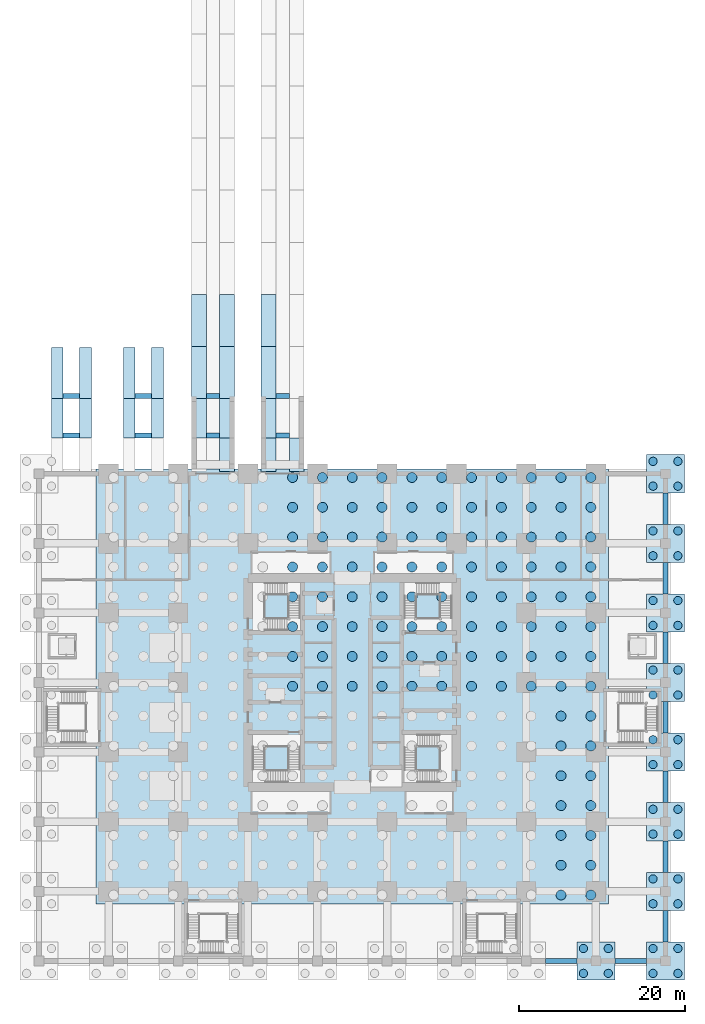
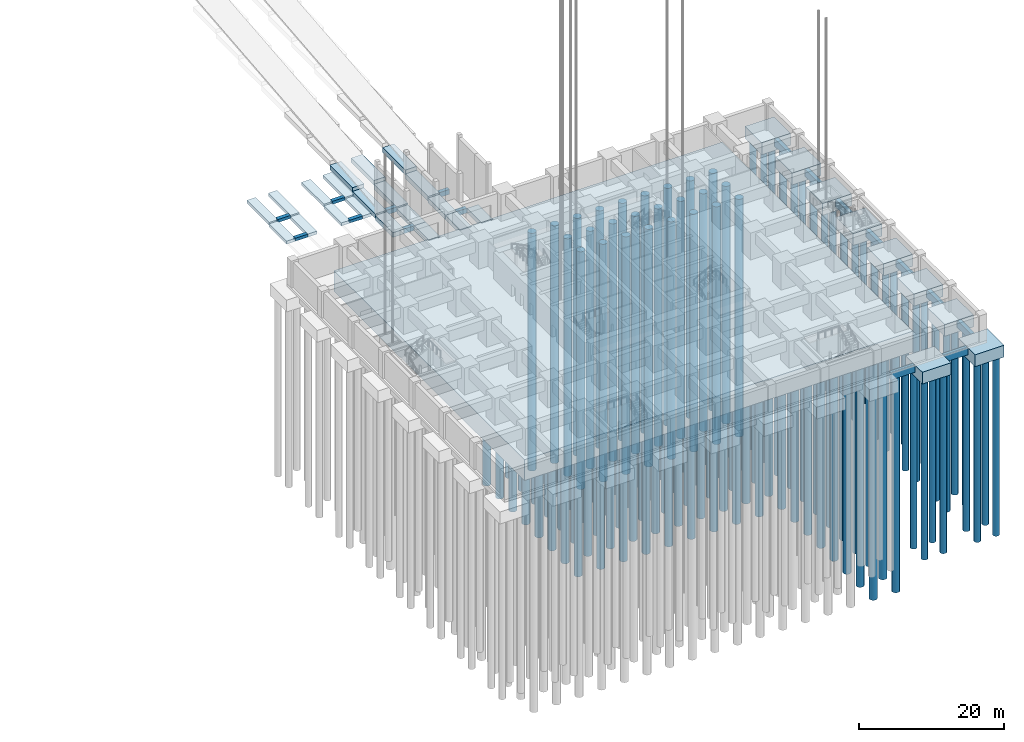
# One storey, part 2 of 28: 138 piles, 47 footings.
"""IFC4 building model written with IfcOpenShell, lengths in metres."""

from ifc_helpers import new_model, si_unit, direction, frame, origin, origin_2d, place, context, subcontext, project, spatial, rectangle, circle, extrude, material, material_profile, profile_set, type_object, element, save


model = new_model("IFC4")

# Units and contexts
model_context = context("Model", 3, precision=1e-05, world=origin(), true_north=direction((0.0, 1.0)))
body_context = subcontext(model_context, "Body", "Model", "MODEL_VIEW")
ifc_project = project(units=[si_unit("LENGTHUNIT", "METRE"), si_unit("AREAUNIT", "SQUARE_METRE"), si_unit("VOLUMEUNIT", "CUBIC_METRE"), si_unit("PLANEANGLEUNIT", "RADIAN"), si_unit("MASSUNIT", "GRAM", prefix="KILO")], contexts=[model_context])

# Site, building, storey
site_placement = place(None, origin())
site = spatial("IfcSite", under=ifc_project, at=site_placement, CompositionType="ELEMENT")
building_placement = place(site_placement, origin())
building = spatial("IfcBuilding", under=site, at=building_placement, Name="Rekha Terrace Tower", CompositionType="ELEMENT")
storey_placement = place(building_placement, frame((0.0, 0.0, -9.89990234375)))
storey = spatial("IfcBuildingStorey", under=building, at=storey_placement, Name="B-02", CompositionType="ELEMENT", Elevation=-9.89990234375)

# Piles
ifc_material_1 = material(Name="Concrete M50", Category="concrete")
pile_type_1 = type_object("IfcPileType", Name="BP1 1200 dia bored pile", PredefinedType="BORED", material=ifc_material_1)
for number, where, z_axis, x_axis, name in (
    (1, (30.60009765625, 33.14990234375, -3.900146484375), (0.0, 0.0, -1.0), (1.0, 0.0, 0.0), "Raft pile BP1 7-8"),
    (2, (30.60009765625, 36.75, -3.900146484375), (0.0, 0.0, -1.0), (1.0, 0.0, 0.0), "Raft pile BP1 7-9"),
    (3, (30.60009765625, 40.35009765625, -3.900146484375), (0.0, 0.0, -1.0), (1.0, 0.0, 0.0), "Raft pile BP1 7-10"),
    (4, (30.60009765625, 43.949951171875, -3.900146484375), (0.0, 0.0, -1.0), (1.0, 0.0, 0.0), "Raft pile BP1 7-11"),
    (5, (30.60009765625, 47.550048828125, -3.900146484375), (0.0, 0.0, -1.0), (1.0, 0.0, 0.0), "Raft pile BP1 7-12"),
    (6, (30.60009765625, 51.14990234375, -3.900146484375), (0.0, 0.0, -1.0), (1.0, 0.0, 0.0), "Raft pile BP1 7-13"),
    (7, (30.60009765625, 54.75, -3.900146484375), (0.0, 0.0, -1.0), (1.0, 0.0, 0.0), "Raft pile BP1 7-14"),
    (8, (30.60009765625, 58.35009765625, -3.900146484375), (0.0, 0.0, -1.0), (1.0, 0.0, 0.0), "Raft pile BP1 7-15"),
    (9, (34.199951171875, 33.14990234375, -3.900146484375), (0.0, 0.0, -1.0), (1.0, 0.0, 0.0), "Raft pile BP1 8-8"),
    (10, (34.199951171875, 36.75, -3.900146484375), (0.0, 0.0, -1.0), (1.0, 0.0, 0.0), "Raft pile BP1 8-9"),
    (11, (34.199951171875, 40.35009765625, -3.900146484375), (0.0, 0.0, -1.0), (1.0, 0.0, 0.0), "Raft pile BP1 8-10"),
    (12, (34.199951171875, 43.949951171875, -3.900146484375), (0.0, 0.0, -1.0), (1.0, 0.0, 0.0), "Raft pile BP1 8-11"),
    (13, (34.199951171875, 47.550048828125, -3.900146484375), (0.0, 0.0, -1.0), (1.0, 0.0, 0.0), "Raft pile BP1 8-12"),
    (14, (34.199951171875, 51.14990234375, -3.900146484375), (0.0, 0.0, -1.0), (1.0, 0.0, 0.0), "Raft pile BP1 8-13"),
    (15, (34.199951171875, 54.75, -3.900146484375), (0.0, 0.0, -1.0), (1.0, 0.0, 0.0), "Raft pile BP1 8-14"),
    (16, (34.199951171875, 58.35009765625, -3.900146484375), (0.0, 0.0, -1.0), (1.0, 0.0, 0.0), "Raft pile BP1 8-15"),
    (17, (37.800048828125, 33.14990234375, -3.900146484375), (0.0, 0.0, -1.0), (1.0, 0.0, 0.0), "Raft pile BP1 9-8"),
    (18, (37.800048828125, 36.75, -3.900146484375), (0.0, 0.0, -1.0), (1.0, 0.0, 0.0), "Raft pile BP1 9-9"),
    (19, (37.800048828125, 40.35009765625, -3.900146484375), (0.0, 0.0, -1.0), (1.0, 0.0, 0.0), "Raft pile BP1 9-10"),
    (20, (37.800048828125, 43.949951171875, -3.900146484375), (0.0, 0.0, -1.0), (1.0, 0.0, 0.0), "Raft pile BP1 9-11"),
    (21, (37.800048828125, 47.550048828125, -3.900146484375), (0.0, 0.0, -1.0), (1.0, 0.0, 0.0), "Raft pile BP1 9-12"),
    (22, (37.800048828125, 51.14990234375, -3.900146484375), (0.0, 0.0, -1.0), (1.0, 0.0, 0.0), "Raft pile BP1 9-13"),
    (23, (37.800048828125, 54.75, -3.900146484375), (0.0, 0.0, -1.0), (1.0, 0.0, 0.0), "Raft pile BP1 9-14"),
    (24, (37.800048828125, 58.35009765625, -3.900146484375), (0.0, 0.0, -1.0), (1.0, 0.0, 0.0), "Raft pile BP1 9-15"),
    (25, (41.39990234375, 33.14990234375, -3.900146484375), (0.0, 0.0, -1.0), (1.0, 0.0, 0.0), "Raft pile BP1 10-8"),
    (26, (41.39990234375, 36.75, -3.900146484375), (0.0, 0.0, -1.0), (1.0, 0.0, 0.0), "Raft pile BP1 10-9"),
    (27, (41.39990234375, 40.35009765625, -3.900146484375), (0.0, 0.0, -1.0), (1.0, 0.0, 0.0), "Raft pile BP1 10-10"),
    (28, (41.39990234375, 43.949951171875, -3.900146484375), (0.0, 0.0, -1.0), (1.0, 0.0, 0.0), "Raft pile BP1 10-11"),
    (29, (41.39990234375, 47.550048828125, -3.900146484375), (0.0, 0.0, -1.0), (1.0, 0.0, 0.0), "Raft pile BP1 10-12"),
    (30, (41.39990234375, 51.14990234375, -3.900146484375), (0.0, 0.0, -1.0), (1.0, 0.0, 0.0), "Raft pile BP1 10-13"),
    (31, (41.39990234375, 54.75, -3.900146484375), (0.0, 0.0, -1.0), (1.0, 0.0, 0.0), "Raft pile BP1 10-14"),
    (32, (41.39990234375, 58.35009765625, -3.900146484375), (0.0, 0.0, -1.0), (1.0, 0.0, 0.0), "Raft pile BP1 10-15"),
    (33, (45.0, 33.14990234375, -3.900146484375), (0.0, 0.0, -1.0), (1.0, 0.0, 0.0), "Raft pile BP1 11-8"),
    (34, (45.0, 36.75, -3.900146484375), (0.0, 0.0, -1.0), (1.0, 0.0, 0.0), "Raft pile BP1 11-9"),
    (35, (45.0, 40.35009765625, -3.900146484375), (0.0, 0.0, -1.0), (1.0, 0.0, 0.0), "Raft pile BP1 11-10"),
    (36, (45.0, 43.949951171875, -3.900146484375), (0.0, 0.0, -1.0), (1.0, 0.0, 0.0), "Raft pile BP1 11-11"),
    (37, (45.0, 47.550048828125, -3.900146484375), (0.0, 0.0, -1.0), (1.0, 0.0, 0.0), "Raft pile BP1 11-12"),
    (38, (45.0, 51.14990234375, -3.900146484375), (0.0, 0.0, -1.0), (1.0, 0.0, 0.0), "Raft pile BP1 11-13"),
    (39, (45.0, 54.75, -3.900146484375), (0.0, 0.0, -1.0), (1.0, 0.0, 0.0), "Raft pile BP1 11-14"),
    (40, (45.0, 58.35009765625, -3.900146484375), (0.0, 0.0, -1.0), (1.0, 0.0, 0.0), "Raft pile BP1 11-15"),
    (41, (48.60009765625, 33.14990234375, -3.900146484375), (0.0, 0.0, -1.0), (1.0, 0.0, 0.0), "Raft pile BP1 12-8"),
    (42, (48.60009765625, 36.75, -3.900146484375), (0.0, 0.0, -1.0), (1.0, 0.0, 0.0), "Raft pile BP1 12-9"),
    (43, (48.60009765625, 40.35009765625, -3.900146484375), (0.0, 0.0, -1.0), (1.0, 0.0, 0.0), "Raft pile BP1 12-10"),
    (44, (48.60009765625, 43.949951171875, -3.900146484375), (0.0, 0.0, -1.0), (1.0, 0.0, 0.0), "Raft pile BP1 12-11"),
    (45, (48.60009765625, 47.550048828125, -3.900146484375), (0.0, 0.0, -1.0), (1.0, 0.0, 0.0), "Raft pile BP1 12-12"),
    (46, (48.60009765625, 51.14990234375, -3.900146484375), (0.0, 0.0, -1.0), (1.0, 0.0, 0.0), "Raft pile BP1 12-13"),
    (47, (48.60009765625, 54.75, -3.900146484375), (0.0, 0.0, -1.0), (1.0, 0.0, 0.0), "Raft pile BP1 12-14"),
    (48, (48.60009765625, 58.35009765625, -3.900146484375), (0.0, 0.0, -1.0), (1.0, 0.0, 0.0), "Raft pile BP1 12-15"),
    (49, (52.199951171875, 33.14990234375, -3.900146484375), (0.0, 0.0, -1.0), (1.0, 0.0, 0.0), "Raft pile BP1 13-8"),
    (50, (52.199951171875, 36.75, -3.900146484375), (0.0, 0.0, -1.0), (1.0, 0.0, 0.0), "Raft pile BP1 13-9"),
    (51, (52.199951171875, 40.35009765625, -3.900146484375), (0.0, 0.0, -1.0), (1.0, 0.0, 0.0), "Raft pile BP1 13-10"),
    (52, (52.199951171875, 43.949951171875, -3.900146484375), (0.0, 0.0, -1.0), (1.0, 0.0, 0.0), "Raft pile BP1 13-11"),
    (53, (52.199951171875, 47.550048828125, -3.900146484375), (0.0, 0.0, -1.0), (1.0, 0.0, 0.0), "Raft pile BP1 13-12"),
    (54, (52.199951171875, 51.14990234375, -3.900146484375), (0.0, 0.0, -1.0), (1.0, 0.0, 0.0), "Raft pile BP1 13-13"),
    (55, (52.199951171875, 54.75, -3.900146484375), (0.0, 0.0, -1.0), (1.0, 0.0, 0.0), "Raft pile BP1 13-14"),
    (56, (52.199951171875, 58.35009765625, -3.900146484375), (0.0, 0.0, -1.0), (1.0, 0.0, 0.0), "Raft pile BP1 13-15"),
    (57, (55.800048828125, 33.14990234375, -3.900146484375), (0.0, 0.0, -1.0), (1.0, 0.0, 0.0), "Raft pile BP1 14-8"),
    (58, (55.800048828125, 36.75, -3.900146484375), (0.0, 0.0, -1.0), (1.0, 0.0, 0.0), "Raft pile BP1 14-9"),
    (59, (55.800048828125, 40.35009765625, -3.900146484375), (0.0, 0.0, -1.0), (1.0, 0.0, 0.0), "Raft pile BP1 14-10"),
    (60, (55.800048828125, 43.949951171875, -3.900146484375), (0.0, 0.0, -1.0), (1.0, 0.0, 0.0), "Raft pile BP1 14-11"),
    (61, (55.800048828125, 47.550048828125, -3.900146484375), (0.0, 0.0, -1.0), (1.0, 0.0, 0.0), "Raft pile BP1 14-12"),
    (62, (55.800048828125, 51.14990234375, -3.900146484375), (0.0, 0.0, -1.0), (1.0, 0.0, 0.0), "Raft pile BP1 14-13"),
    (63, (55.800048828125, 54.75, -3.900146484375), (0.0, 0.0, -1.0), (1.0, 0.0, 0.0), "Raft pile BP1 14-14"),
    (64, (55.800048828125, 58.35009765625, -3.900146484375), (0.0, 0.0, -1.0), (1.0, 0.0, 0.0), "Raft pile BP1 14-15"),
    (65, (59.39990234375, 33.14990234375, -3.900146484375), (0.0, 0.0, -1.0), (1.0, 0.0, 0.0), "Raft pile BP1 15-8"),
    (66, (59.39990234375, 36.75, -3.900146484375), (0.0, 0.0, -1.0), (1.0, 0.0, 0.0), "Raft pile BP1 15-9"),
    (67, (59.39990234375, 40.35009765625, -3.900146484375), (0.0, 0.0, -1.0), (1.0, 0.0, 0.0), "Raft pile BP1 15-10"),
    (68, (59.39990234375, 43.949951171875, -3.900146484375), (0.0, 0.0, -1.0), (1.0, 0.0, 0.0), "Raft pile BP1 15-11"),
    (69, (59.39990234375, 47.550048828125, -3.900146484375), (0.0, 0.0, -1.0), (1.0, 0.0, 0.0), "Raft pile BP1 15-12"),
    (70, (59.39990234375, 51.14990234375, -3.900146484375), (0.0, 0.0, -1.0), (1.0, 0.0, 0.0), "Raft pile BP1 15-13"),
    (71, (59.39990234375, 54.75, -3.900146484375), (0.0, 0.0, -1.0), (1.0, 0.0, 0.0), "Raft pile BP1 15-14"),
    (72, (59.39990234375, 58.35009765625, -3.900146484375), (0.0, 0.0, -1.0), (1.0, 0.0, 0.0), "Raft pile BP1 15-15"),
    (73, (63.0, 7.949951171875, -3.900146484375), (0.0, 0.0, -1.0), (1.0, 0.0, 0.0), "Raft pile BP1 16-1"),
    (74, (63.0, 11.550048828125, -3.900146484375), (0.0, 0.0, -1.0), (1.0, 0.0, 0.0), "Raft pile BP1 16-2"),
    (75, (63.0, 15.14990234375, -3.900146484375), (0.0, 0.0, -1.0), (1.0, 0.0, 0.0), "Raft pile BP1 16-3"),
    (76, (63.0, 18.75, -3.900146484375), (0.0, 0.0, -1.0), (1.0, 0.0, 0.0), "Raft pile BP1 16-4"),
    (77, (63.0, 22.35009765625, -3.900146484375), (0.0, 0.0, -1.0), (1.0, 0.0, 0.0), "Raft pile BP1 16-5"),
    (78, (63.0, 25.949951171875, -3.900146484375), (0.0, 0.0, -1.0), (1.0, 0.0, 0.0), "Raft pile BP1 16-6"),
    (79, (63.0, 29.550048828125, -3.900146484375), (0.0, 0.0, -1.0), (1.0, 0.0, 0.0), "Raft pile BP1 16-7"),
    (80, (63.0, 33.14990234375, -3.900146484375), (0.0, 0.0, -1.0), (1.0, 0.0, 0.0), "Raft pile BP1 16-8"),
    (81, (63.0, 36.75, -3.900146484375), (0.0, 0.0, -1.0), (1.0, 0.0, 0.0), "Raft pile BP1 16-9"),
    (82, (63.0, 40.35009765625, -3.900146484375), (0.0, 0.0, -1.0), (1.0, 0.0, 0.0), "Raft pile BP1 16-10"),
    (83, (63.0, 43.949951171875, -3.900146484375), (0.0, 0.0, -1.0), (1.0, 0.0, 0.0), "Raft pile BP1 16-11"),
    (84, (63.0, 47.550048828125, -3.900146484375), (0.0, 0.0, -1.0), (1.0, 0.0, 0.0), "Raft pile BP1 16-12"),
    (85, (63.0, 51.14990234375, -3.900146484375), (0.0, 0.0, -1.0), (1.0, 0.0, 0.0), "Raft pile BP1 16-13"),
    (86, (63.0, 54.75, -3.900146484375), (0.0, 0.0, -1.0), (1.0, 0.0, 0.0), "Raft pile BP1 16-14"),
    (87, (63.0, 58.35009765625, -3.900146484375), (0.0, 0.0, -1.0), (1.0, 0.0, 0.0), "Raft pile BP1 16-15"),
    (88, (66.60009765625, 7.949951171875, -3.900146484375), (0.0, 0.0, -1.0), (1.0, 0.0, 0.0), "Raft pile BP1 17-1"),
    (89, (66.60009765625, 11.550048828125, -3.900146484375), (0.0, 0.0, -1.0), (1.0, 0.0, 0.0), "Raft pile BP1 17-2"),
    (90, (66.60009765625, 15.14990234375, -3.900146484375), (0.0, 0.0, -1.0), (1.0, 0.0, 0.0), "Raft pile BP1 17-3"),
    (91, (66.60009765625, 18.75, -3.900146484375), (0.0, 0.0, -1.0), (1.0, 0.0, 0.0), "Raft pile BP1 17-4"),
    (92, (66.60009765625, 22.35009765625, -3.900146484375), (0.0, 0.0, -1.0), (1.0, 0.0, 0.0), "Raft pile BP1 17-5"),
    (93, (66.60009765625, 25.949951171875, -3.900146484375), (0.0, 0.0, -1.0), (1.0, 0.0, 0.0), "Raft pile BP1 17-6"),
    (94, (66.60009765625, 29.550048828125, -3.900146484375), (0.0, 0.0, -1.0), (1.0, 0.0, 0.0), "Raft pile BP1 17-7"),
    (95, (66.60009765625, 33.14990234375, -3.900146484375), (0.0, 0.0, -1.0), (1.0, 0.0, 0.0), "Raft pile BP1 17-8"),
    (96, (66.60009765625, 36.75, -3.900146484375), (0.0, 0.0, -1.0), (1.0, 0.0, 0.0), "Raft pile BP1 17-9"),
    (97, (66.60009765625, 40.35009765625, -3.900146484375), (0.0, 0.0, -1.0), (1.0, 0.0, 0.0), "Raft pile BP1 17-10"),
    (98, (66.60009765625, 43.949951171875, -3.900146484375), (0.0, 0.0, -1.0), (1.0, 0.0, 0.0), "Raft pile BP1 17-11"),
    (99, (66.60009765625, 47.550048828125, -3.900146484375), (0.0, 0.0, -1.0), (1.0, 0.0, 0.0), "Raft pile BP1 17-12"),
    (100, (66.60009765625, 51.14990234375, -3.900146484375), (0.0, 0.0, -1.0), (1.0, 0.0, 0.0), "Raft pile BP1 17-13"),
    (101, (66.60009765625, 54.75, -3.900146484375), (0.0, 0.0, -1.0), (1.0, 0.0, 0.0), "Raft pile BP1 17-14"),
    (102, (66.60009765625, 58.35009765625, -3.900146484375), (0.0, 0.0, -1.0), (1.0, 0.0, 0.0), "Raft pile BP1 17-15"),
):
    element("IfcPile", number, at=place(storey_placement, frame(where, z_axis=z_axis, x_axis=x_axis)), inside=storey, type_object=pile_type_1, Name=name, PredefinedType="BORED", context=body_context, shape_type="SweptSolid", body=[
        extrude(circle(Radius=0.60009765625, at=origin_2d()), origin(), (0.0, 0.0, 1.0), 40.0),
    ])
pile_type_2 = type_object("IfcPileType", Name="BP2 1000 dia bored pile", PredefinedType="BORED", material=ifc_material_1)
for number, where, z_axis, x_axis, name in (
    (103, (65.699951171875, -1.5, -2.400146484375), (0.0, 0.0, -1.0), (1.0, 0.0, 0.0), "Cap pile BP2 9/A-1"),
    (104, (68.699951171875, -1.5, -2.400146484375), (0.0, 0.0, -1.0), (1.0, 0.0, 0.0), "Cap pile BP2 9/A-2"),
    (105, (68.699951171875, 1.5, -2.400146484375), (0.0, 0.0, -1.0), (1.0, 0.0, 0.0), "Cap pile BP2 9/A-3"),
    (106, (65.699951171875, 1.5, -2.400146484375), (0.0, 0.0, -1.0), (1.0, 0.0, 0.0), "Cap pile BP2 9/A-4"),
    (107, (74.10009765625, -1.5, -2.400146484375), (0.0, 0.0, -1.0), (1.0, 0.0, 0.0), "Cap pile BP2 10/A-1"),
    (108, (77.10009765625, -1.5, -2.400146484375), (0.0, 0.0, -1.0), (1.0, 0.0, 0.0), "Cap pile BP2 10/A-2"),
    (109, (77.10009765625, 1.5, -2.400146484375), (0.0, 0.0, -1.0), (1.0, 0.0, 0.0), "Cap pile BP2 10/A-3"),
    (110, (74.10009765625, 1.5, -2.400146484375), (0.0, 0.0, -1.0), (1.0, 0.0, 0.0), "Cap pile BP2 10/A-4"),
    (111, (74.10009765625, 6.89990234375, -2.400146484375), (0.0, 0.0, -1.0), (1.0, 0.0, 0.0), "Cap pile BP2 10/B-1"),
    (112, (77.10009765625, 6.89990234375, -2.400146484375), (0.0, 0.0, -1.0), (1.0, 0.0, 0.0), "Cap pile BP2 10/B-2"),
    (113, (77.10009765625, 9.89990234375, -2.400146484375), (0.0, 0.0, -1.0), (1.0, 0.0, 0.0), "Cap pile BP2 10/B-3"),
    (114, (74.10009765625, 9.89990234375, -2.400146484375), (0.0, 0.0, -1.0), (1.0, 0.0, 0.0), "Cap pile BP2 10/B-4"),
    (115, (74.10009765625, 15.300048828125, -2.400146484375), (0.0, 0.0, -1.0), (1.0, 0.0, 0.0), "Cap pile BP2 10/C-1"),
    (116, (77.10009765625, 15.300048828125, -2.400146484375), (0.0, 0.0, -1.0), (1.0, 0.0, 0.0), "Cap pile BP2 10/C-2"),
    (117, (77.10009765625, 18.300048828125, -2.400146484375), (0.0, 0.0, -1.0), (1.0, 0.0, 0.0), "Cap pile BP2 10/C-3"),
    (118, (74.10009765625, 18.300048828125, -2.400146484375), (0.0, 0.0, -1.0), (1.0, 0.0, 0.0), "Cap pile BP2 10/C-4"),
    (119, (74.10009765625, 23.699951171875, -2.400146484375), (0.0, 0.0, -1.0), (1.0, 0.0, 0.0), "Cap pile BP2 10/D-1"),
    (120, (77.10009765625, 23.699951171875, -2.400146484375), (0.0, 0.0, -1.0), (1.0, 0.0, 0.0), "Cap pile BP2 10/D-2"),
    (121, (77.10009765625, 26.699951171875, -2.400146484375), (0.0, 0.0, -1.0), (1.0, 0.0, 0.0), "Cap pile BP2 10/D-3"),
    (122, (74.10009765625, 26.699951171875, -2.400146484375), (0.0, 0.0, -1.0), (1.0, 0.0, 0.0), "Cap pile BP2 10/D-4"),
    (123, (74.10009765625, 32.10009765625, -2.400146484375), (0.0, 0.0, -1.0), (1.0, 0.0, 0.0), "Cap pile BP2 10/E-1"),
    (124, (77.10009765625, 32.10009765625, -2.400146484375), (0.0, 0.0, -1.0), (1.0, 0.0, 0.0), "Cap pile BP2 10/E-2"),
    (125, (77.10009765625, 35.10009765625, -2.400146484375), (0.0, 0.0, -1.0), (1.0, 0.0, 0.0), "Cap pile BP2 10/E-3"),
    (126, (74.10009765625, 35.10009765625, -2.400146484375), (0.0, 0.0, -1.0), (1.0, 0.0, 0.0), "Cap pile BP2 10/E-4"),
    (127, (74.10009765625, 40.5, -2.400146484375), (0.0, 0.0, -1.0), (1.0, 0.0, 0.0), "Cap pile BP2 10/F-1"),
    (128, (77.10009765625, 40.5, -2.400146484375), (0.0, 0.0, -1.0), (1.0, 0.0, 0.0), "Cap pile BP2 10/F-2"),
    (129, (77.10009765625, 43.5, -2.400146484375), (0.0, 0.0, -1.0), (1.0, 0.0, 0.0), "Cap pile BP2 10/F-3"),
    (130, (74.10009765625, 43.5, -2.400146484375), (0.0, 0.0, -1.0), (1.0, 0.0, 0.0), "Cap pile BP2 10/F-4"),
    (131, (74.10009765625, 48.89990234375, -2.400146484375), (0.0, 0.0, -1.0), (1.0, 0.0, 0.0), "Cap pile BP2 10/G-1"),
    (132, (77.10009765625, 48.89990234375, -2.400146484375), (0.0, 0.0, -1.0), (1.0, 0.0, 0.0), "Cap pile BP2 10/G-2"),
    (133, (77.10009765625, 51.89990234375, -2.400146484375), (0.0, 0.0, -1.0), (1.0, 0.0, 0.0), "Cap pile BP2 10/G-3"),
    (134, (74.10009765625, 51.89990234375, -2.400146484375), (0.0, 0.0, -1.0), (1.0, 0.0, 0.0), "Cap pile BP2 10/G-4"),
    (135, (74.10009765625, 57.300048828125, -2.400146484375), (0.0, 0.0, -1.0), (1.0, 0.0, 0.0), "Cap pile BP2 10/H-1"),
    (136, (77.10009765625, 57.300048828125, -2.400146484375), (0.0, 0.0, -1.0), (1.0, 0.0, 0.0), "Cap pile BP2 10/H-2"),
    (137, (77.10009765625, 60.300048828125, -2.400146484375), (0.0, 0.0, -1.0), (1.0, 0.0, 0.0), "Cap pile BP2 10/H-3"),
    (138, (74.10009765625, 60.300048828125, -2.400146484375), (0.0, 0.0, -1.0), (1.0, 0.0, 0.0), "Cap pile BP2 10/H-4"),
):
    element("IfcPile", number, at=place(storey_placement, frame(where, z_axis=z_axis, x_axis=x_axis)), inside=storey, type_object=pile_type_2, Name=name, PredefinedType="BORED", context=body_context, shape_type="SweptSolid", body=[
        extrude(circle(Radius=0.5, at=origin_2d()), origin(), (0.0, 0.0, 1.0), 30.0),
    ])

# Footings
ifc_material_2 = material(Name="Concrete M40", Category="concrete")
footing_type_1 = type_object("IfcFootingType", Name="FS1 1400x500 strip footing", PredefinedType="STRIP_FOOTING", material=ifc_material_2)
footing_1_placement = place(storey_placement, frame((2.199951171875, 65.5, 3.699951171875), z_axis=(0.0, 0.0, 1.0), x_axis=(1.0, 0.0, 0.0)))
element("IfcFooting", 139, at=footing_1_placement, inside=storey, type_object=footing_type_1, Name="Ramp 1 strip footing FS1 W2", PredefinedType="STRIP_FOOTING", context=body_context, shape_type="SweptSolid", body=[
    extrude(rectangle(XDim=1.39990234375, YDim=4.800048828125, at=origin_2d()), origin(), (0.0, 0.0, 1.0), 0.5),
])
footing_2_placement = place(storey_placement, frame((2.199951171875, 70.97509765625, 3.93994140625), z_axis=(0.0, 0.0, 1.0), x_axis=(1.0, 0.0, 0.0)))
element("IfcFooting", 140, at=footing_2_placement, inside=storey, type_object=footing_type_1, Name="Ramp 1 strip footing FS1 W3", PredefinedType="STRIP_FOOTING", context=body_context, shape_type="SweptSolid", body=[
    extrude(rectangle(XDim=1.39990234375, YDim=6.14990234375, at=origin_2d()), origin(), (0.0, 0.0, 1.0), 0.5),
])
footing_3_placement = place(storey_placement, frame((5.60009765625, 65.5, 3.699951171875), z_axis=(0.0, 0.0, 1.0), x_axis=(1.0, 0.0, 0.0)))
element("IfcFooting", 141, at=footing_3_placement, inside=storey, type_object=footing_type_1, Name="Ramp 1 strip footing FS1 E2", PredefinedType="STRIP_FOOTING", context=body_context, shape_type="SweptSolid", body=[
    extrude(rectangle(XDim=1.39990234375, YDim=4.800048828125, at=origin_2d()), origin(), (0.0, 0.0, 1.0), 0.5),
])
footing_4_placement = place(storey_placement, frame((5.60009765625, 70.97509765625, 3.93994140625), z_axis=(0.0, 0.0, 1.0), x_axis=(1.0, 0.0, 0.0)))
element("IfcFooting", 142, at=footing_4_placement, inside=storey, type_object=footing_type_1, Name="Ramp 1 strip footing FS1 E3", PredefinedType="STRIP_FOOTING", context=body_context, shape_type="SweptSolid", body=[
    extrude(rectangle(XDim=1.39990234375, YDim=6.14990234375, at=origin_2d()), origin(), (0.0, 0.0, 1.0), 0.5),
])
footing_5_placement = place(storey_placement, frame((10.89990234375, 65.5, 3.699951171875), z_axis=(0.0, 0.0, 1.0), x_axis=(1.0, 0.0, 0.0)))
element("IfcFooting", 143, at=footing_5_placement, inside=storey, type_object=footing_type_1, Name="Ramp 2 strip footing FS1 W2", PredefinedType="STRIP_FOOTING", context=body_context, shape_type="SweptSolid", body=[
    extrude(rectangle(XDim=1.39990234375, YDim=4.800048828125, at=origin_2d()), origin(), (0.0, 0.0, 1.0), 0.5),
])
footing_6_placement = place(storey_placement, frame((10.89990234375, 70.97509765625, 3.93994140625), z_axis=(0.0, 0.0, 1.0), x_axis=(1.0, 0.0, 0.0)))
element("IfcFooting", 144, at=footing_6_placement, inside=storey, type_object=footing_type_1, Name="Ramp 2 strip footing FS1 W3", PredefinedType="STRIP_FOOTING", context=body_context, shape_type="SweptSolid", body=[
    extrude(rectangle(XDim=1.39990234375, YDim=6.14990234375, at=origin_2d()), origin(), (0.0, 0.0, 1.0), 0.5),
])
footing_7_placement = place(storey_placement, frame((14.300048828125, 65.5, 3.699951171875), z_axis=(0.0, 0.0, 1.0), x_axis=(1.0, 0.0, 0.0)))
element("IfcFooting", 145, at=footing_7_placement, inside=storey, type_object=footing_type_1, Name="Ramp 2 strip footing FS1 E2", PredefinedType="STRIP_FOOTING", context=body_context, shape_type="SweptSolid", body=[
    extrude(rectangle(XDim=1.39990234375, YDim=4.800048828125, at=origin_2d()), origin(), (0.0, 0.0, 1.0), 0.5),
])
footing_8_placement = place(storey_placement, frame((14.300048828125, 70.97509765625, 3.93994140625), z_axis=(0.0, 0.0, 1.0), x_axis=(1.0, 0.0, 0.0)))
element("IfcFooting", 146, at=footing_8_placement, inside=storey, type_object=footing_type_1, Name="Ramp 2 strip footing FS1 E3", PredefinedType="STRIP_FOOTING", context=body_context, shape_type="SweptSolid", body=[
    extrude(rectangle(XDim=1.39990234375, YDim=6.14990234375, at=origin_2d()), origin(), (0.0, 0.0, 1.0), 0.5),
])
footing_type_2 = type_object("IfcFootingType", Name="FS2 1800x800 strip footing", PredefinedType="STRIP_FOOTING", material=ifc_material_2)
footing_9_placement = place(storey_placement, frame((19.300048828125, 65.5, -1.10009765625), z_axis=(0.0, 0.0, 1.0), x_axis=(1.0, 0.0, 0.0)))
element("IfcFooting", 147, at=footing_9_placement, inside=storey, type_object=footing_type_2, Name="Ramp 3 strip footing FS2 W2", PredefinedType="STRIP_FOOTING", context=body_context, shape_type="SweptSolid", body=[
    extrude(rectangle(XDim=1.800048828125, YDim=4.800048828125, at=origin_2d()), origin(), (0.0, 0.0, 1.0), 0.800048828125),
])
for number, where, z_axis, x_axis, name in (
    (148, (19.300048828125, 71.0400390625, -0.8603515625), (0.0, 0.0, 1.0), (1.0, 0.0, 0.0), "Ramp 3 strip footing FS2 W3"),
    (149, (19.300048828125, 77.320068359375, -0.23193359375), (0.0, 0.0, 1.0), (1.0, 0.0, 0.0), "Ramp 3 strip footing FS2 W4"),
):
    element("IfcFooting", number, at=place(storey_placement, frame(where, z_axis=z_axis, x_axis=x_axis)), inside=storey, type_object=footing_type_2, Name=name, PredefinedType="STRIP_FOOTING", context=body_context, shape_type="SweptSolid", body=[
        extrude(rectangle(XDim=1.800048828125, YDim=6.280029296875, at=origin_2d()), origin(), (0.0, 0.0, 1.0), 0.800048828125),
    ])
footing_10_placement = place(storey_placement, frame((22.699951171875, 61.10009765625, -1.10009765625), z_axis=(0.0, 0.0, 1.0), x_axis=(1.0, 0.0, 0.0)))
element("IfcFooting", 150, at=footing_10_placement, inside=storey, type_object=footing_type_2, Name="Ramp 3 strip footing FS2 E1", PredefinedType="STRIP_FOOTING", context=body_context, shape_type="SweptSolid", body=[
    extrude(rectangle(XDim=1.800048828125, YDim=4.0, at=origin_2d()), origin(), (0.0, 0.0, 1.0), 0.800048828125),
])
footing_11_placement = place(storey_placement, frame((22.699951171875, 65.5, -1.10009765625), z_axis=(0.0, 0.0, 1.0), x_axis=(1.0, 0.0, 0.0)))
element("IfcFooting", 151, at=footing_11_placement, inside=storey, type_object=footing_type_2, Name="Ramp 3 strip footing FS2 E2", PredefinedType="STRIP_FOOTING", context=body_context, shape_type="SweptSolid", body=[
    extrude(rectangle(XDim=1.800048828125, YDim=4.800048828125, at=origin_2d()), origin(), (0.0, 0.0, 1.0), 0.800048828125),
])
for number, where, z_axis, x_axis, name in (
    (152, (22.699951171875, 71.0400390625, -0.8603515625), (0.0, 0.0, 1.0), (1.0, 0.0, 0.0), "Ramp 3 strip footing FS2 E3"),
    (153, (22.699951171875, 77.320068359375, -0.23193359375), (0.0, 0.0, 1.0), (1.0, 0.0, 0.0), "Ramp 3 strip footing FS2 E4"),
):
    element("IfcFooting", number, at=place(storey_placement, frame(where, z_axis=z_axis, x_axis=x_axis)), inside=storey, type_object=footing_type_2, Name=name, PredefinedType="STRIP_FOOTING", context=body_context, shape_type="SweptSolid", body=[
        extrude(rectangle(XDim=1.800048828125, YDim=6.280029296875, at=origin_2d()), origin(), (0.0, 0.0, 1.0), 0.800048828125),
    ])
footing_12_placement = place(storey_placement, frame((27.699951171875, 61.10009765625, -1.10009765625), z_axis=(0.0, 0.0, 1.0), x_axis=(1.0, 0.0, 0.0)))
element("IfcFooting", 154, at=footing_12_placement, inside=storey, type_object=footing_type_2, Name="Ramp 4 strip footing FS2 W1", PredefinedType="STRIP_FOOTING", context=body_context, shape_type="SweptSolid", body=[
    extrude(rectangle(XDim=1.800048828125, YDim=4.0, at=origin_2d()), origin(), (0.0, 0.0, 1.0), 0.800048828125),
])
footing_13_placement = place(storey_placement, frame((27.699951171875, 65.5, -1.10009765625), z_axis=(0.0, 0.0, 1.0), x_axis=(1.0, 0.0, 0.0)))
element("IfcFooting", 155, at=footing_13_placement, inside=storey, type_object=footing_type_2, Name="Ramp 4 strip footing FS2 W2", PredefinedType="STRIP_FOOTING", context=body_context, shape_type="SweptSolid", body=[
    extrude(rectangle(XDim=1.800048828125, YDim=4.800048828125, at=origin_2d()), origin(), (0.0, 0.0, 1.0), 0.800048828125),
])
for number, where, z_axis, x_axis, name in (
    (156, (27.699951171875, 71.0400390625, -0.8603515625), (0.0, 0.0, 1.0), (1.0, 0.0, 0.0), "Ramp 4 strip footing FS2 W3"),
    (157, (27.699951171875, 77.320068359375, -0.23193359375), (0.0, 0.0, 1.0), (1.0, 0.0, 0.0), "Ramp 4 strip footing FS2 W4"),
):
    element("IfcFooting", number, at=place(storey_placement, frame(where, z_axis=z_axis, x_axis=x_axis)), inside=storey, type_object=footing_type_2, Name=name, PredefinedType="STRIP_FOOTING", context=body_context, shape_type="SweptSolid", body=[
        extrude(rectangle(XDim=1.800048828125, YDim=6.280029296875, at=origin_2d()), origin(), (0.0, 0.0, 1.0), 0.800048828125),
    ])
footing_14_placement = place(storey_placement, frame((31.10009765625, 61.10009765625, -1.10009765625), z_axis=(0.0, 0.0, 1.0), x_axis=(1.0, 0.0, 0.0)))
element("IfcFooting", 158, at=footing_14_placement, inside=storey, type_object=footing_type_2, Name="Ramp 4 strip footing FS2 E1", PredefinedType="STRIP_FOOTING", context=body_context, shape_type="SweptSolid", body=[
    extrude(rectangle(XDim=1.800048828125, YDim=4.0, at=origin_2d()), origin(), (0.0, 0.0, 1.0), 0.800048828125),
])
ifc_material_profile = material_profile(ifc_material_1, rectangle(XDim=0.60009765625, YDim=1.199951171875, at=origin_2d()), Name="RC 600x1200")
ifc_profile_set = profile_set([ifc_material_profile], Name="Concrete M50")
footing_type_3 = type_object("IfcFootingType", Name="GB1 600x1200 ground beam", PredefinedType="FOOTING_BEAM", material=ifc_profile_set)
footing_15_placement = place(storey_placement, frame((61.10009765625, 0.0, -1.0), z_axis=(1.0, 0.0, 0.0), x_axis=(0.0, 1.0, 0.0)))
element("IfcFooting", 159, at=footing_15_placement, inside=storey, type_object=footing_type_3, Name="Ground beam GB1 8A-9A", PredefinedType="FOOTING_BEAM", context=body_context, shape_type="SweptSolid", body=[
    extrude(rectangle(XDim=0.60009765625, YDim=1.199951171875, at=origin_2d()), origin(), (0.0, 0.0, 1.0), 3.7998046875),
])
for number, where, z_axis, x_axis, name in (
    (160, (69.5, 0.0, -1.0), (1.0, 0.0, 0.0), (0.0, 1.0, 0.0), "Ground beam GB1 9A-10A"),
    (161, (75.60009765625, 2.300048828125, -1.0), (0.0, 1.0, 0.0), (-1.0, 0.0, 0.0), "Ground beam GB1 10A-10B"),
    (162, (75.60009765625, 10.699951171875, -1.0), (0.0, 1.0, 0.0), (-1.0, 0.0, 0.0), "Ground beam GB1 10B-10C"),
):
    element("IfcFooting", number, at=place(storey_placement, frame(where, z_axis=z_axis, x_axis=x_axis)), inside=storey, type_object=footing_type_3, Name=name, PredefinedType="FOOTING_BEAM", context=body_context, shape_type="SweptSolid", body=[
        extrude(rectangle(XDim=0.60009765625, YDim=1.199951171875, at=origin_2d()), origin(), (0.0, 0.0, 1.0), 3.800048828125),
    ])
footing_16_placement = place(storey_placement, frame((75.60009765625, 19.10009765625, -1.0), z_axis=(0.0, 1.0, 0.0), x_axis=(-1.0, 0.0, 0.0)))
element("IfcFooting", 163, at=footing_16_placement, inside=storey, type_object=footing_type_3, Name="Ground beam GB1 10C-10D", PredefinedType="FOOTING_BEAM", context=body_context, shape_type="SweptSolid", body=[
    extrude(rectangle(XDim=0.60009765625, YDim=1.199951171875, at=origin_2d()), origin(), (0.0, 0.0, 1.0), 3.7998046875),
])
for number, where, z_axis, x_axis, name in (
    (164, (75.60009765625, 27.5, -1.0), (0.0, 1.0, 0.0), (-1.0, 0.0, 0.0), "Ground beam GB1 10D-10E"),
    (165, (75.60009765625, 35.89990234375, -1.0), (0.0, 1.0, 0.0), (-1.0, 0.0, 0.0), "Ground beam GB1 10E-10F"),
    (166, (75.60009765625, 44.300048828125, -1.0), (0.0, 1.0, 0.0), (-1.0, 0.0, 0.0), "Ground beam GB1 10F-10G"),
    (167, (75.60009765625, 52.699951171875, -1.0), (0.0, 1.0, 0.0), (-1.0, 0.0, 0.0), "Ground beam GB1 10G-10H"),
):
    element("IfcFooting", number, at=place(storey_placement, frame(where, z_axis=z_axis, x_axis=x_axis)), inside=storey, type_object=footing_type_3, Name=name, PredefinedType="FOOTING_BEAM", context=body_context, shape_type="SweptSolid", body=[
        extrude(rectangle(XDim=0.60009765625, YDim=1.199951171875, at=origin_2d()), origin(), (0.0, 0.0, 1.0), 3.800048828125),
    ])
footing_type_4 = type_object("IfcFootingType", Name="PC1 4600x4600x2000 pile cap, 4 piles", PredefinedType="PILE_CAP", material=ifc_material_1)
for number, where, z_axis, x_axis, name in (
    (168, (67.199951171875, 0.0, -2.400146484375), (0.0, 0.0, 1.0), (1.0, 0.0, 0.0), "Pile cap PC1 9/A"),
    (169, (75.60009765625, 0.0, -2.400146484375), (0.0, 0.0, 1.0), (1.0, 0.0, 0.0), "Pile cap PC1 10/A"),
    (170, (75.60009765625, 8.39990234375, -2.400146484375), (0.0, 0.0, 1.0), (1.0, 0.0, 0.0), "Pile cap PC1 10/B"),
    (171, (75.60009765625, 16.800048828125, -2.400146484375), (0.0, 0.0, 1.0), (1.0, 0.0, 0.0), "Pile cap PC1 10/C"),
    (172, (75.60009765625, 25.199951171875, -2.400146484375), (0.0, 0.0, 1.0), (1.0, 0.0, 0.0), "Pile cap PC1 10/D"),
    (173, (75.60009765625, 33.60009765625, -2.400146484375), (0.0, 0.0, 1.0), (1.0, 0.0, 0.0), "Pile cap PC1 10/E"),
    (174, (75.60009765625, 42.0, -2.400146484375), (0.0, 0.0, 1.0), (1.0, 0.0, 0.0), "Pile cap PC1 10/F"),
    (175, (75.60009765625, 50.39990234375, -2.400146484375), (0.0, 0.0, 1.0), (1.0, 0.0, 0.0), "Pile cap PC1 10/G"),
    (176, (75.60009765625, 58.800048828125, -2.400146484375), (0.0, 0.0, 1.0), (1.0, 0.0, 0.0), "Pile cap PC1 10/H"),
):
    element("IfcFooting", number, at=place(storey_placement, frame(where, z_axis=z_axis, x_axis=x_axis)), inside=storey, type_object=footing_type_4, Name=name, PredefinedType="PILE_CAP", context=body_context, shape_type="SweptSolid", body=[
        extrude(rectangle(XDim=4.60009765625, YDim=4.60009765625, at=origin_2d()), origin(), (0.0, 0.0, 1.0), 2.0),
    ])
footing_type_5 = type_object("IfcFootingType", Name="PR1 61800x52500x3500 tower piled raft", PredefinedType="PILE_CAP", material=ifc_material_1)
footing_17_placement = place(storey_placement, frame((37.800048828125, 33.14990234375, -3.900146484375), z_axis=(0.0, 0.0, 1.0), x_axis=(1.0, 0.0, 0.0)))
element("IfcFooting", 177, at=footing_17_placement, inside=storey, type_object=footing_type_5, Name="Tower piled raft PR1", PredefinedType="PILE_CAP", context=body_context, shape_type="SweptSolid", body=[
    extrude(rectangle(XDim=61.800048828125, YDim=52.5, at=origin_2d()), origin(), (0.0, 0.0, 1.0), 3.5),
])
footing_type_6 = type_object("IfcFootingType", Name="RG1 600x500 ramp ground beam", PredefinedType="STRIP_FOOTING", material=ifc_material_2)
for number, where, z_axis, x_axis, name in (
    (178, (3.89990234375, 63.39990234375, 3.699951171875), (0.0, 0.0, 1.0), (1.0, 0.0, 0.0), "Ramp 1 ground beam at the foot of the ramp"),
    (179, (3.89990234375, 68.199951171875, 3.93994140625), (0.0, 0.0, 1.0), (1.0, 0.0, 0.0), "Ramp 1 ground beam at the start of the main run"),
    (180, (12.60009765625, 63.39990234375, 3.699951171875), (0.0, 0.0, 1.0), (1.0, 0.0, 0.0), "Ramp 2 ground beam at the foot of the ramp"),
    (181, (12.60009765625, 68.199951171875, 3.93994140625), (0.0, 0.0, 1.0), (1.0, 0.0, 0.0), "Ramp 2 ground beam at the start of the main run"),
):
    element("IfcFooting", number, at=place(storey_placement, frame(where, z_axis=z_axis, x_axis=x_axis)), inside=storey, type_object=footing_type_6, Name=name, PredefinedType="STRIP_FOOTING", context=body_context, shape_type="SweptSolid", body=[
        extrude(rectangle(XDim=2.0, YDim=0.60009765625, at=origin_2d()), origin(), (0.0, 0.0, 1.0), 0.5),
    ])
footing_type_7 = type_object("IfcFootingType", Name="RG2 600x800 ramp ground beam", PredefinedType="STRIP_FOOTING", material=ifc_material_2)
for number, where, z_axis, x_axis, name in (
    (182, (21.0, 63.39990234375, -1.10009765625), (0.0, 0.0, 1.0), (1.0, 0.0, 0.0), "Ramp 3 ground beam at the foot of the ramp"),
    (183, (21.0, 68.199951171875, -0.8603515625), (0.0, 0.0, 1.0), (1.0, 0.0, 0.0), "Ramp 3 ground beam at the start of the main run"),
    (184, (29.39990234375, 63.39990234375, -1.10009765625), (0.0, 0.0, 1.0), (1.0, 0.0, 0.0), "Ramp 4 ground beam at the foot of the ramp"),
    (185, (29.39990234375, 68.199951171875, -0.8603515625), (0.0, 0.0, 1.0), (1.0, 0.0, 0.0), "Ramp 4 ground beam at the start of the main run"),
):
    element("IfcFooting", number, at=place(storey_placement, frame(where, z_axis=z_axis, x_axis=x_axis)), inside=storey, type_object=footing_type_7, Name=name, PredefinedType="STRIP_FOOTING", context=body_context, shape_type="SweptSolid", body=[
        extrude(rectangle(XDim=1.60009765625, YDim=0.60009765625, at=origin_2d()), origin(), (0.0, 0.0, 1.0), 0.800048828125),
    ])

save(model, "model.ifc")
